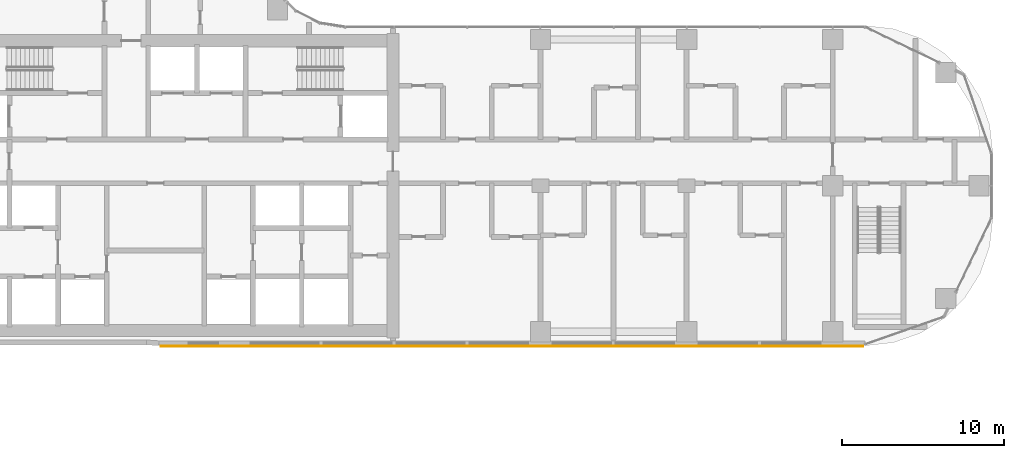
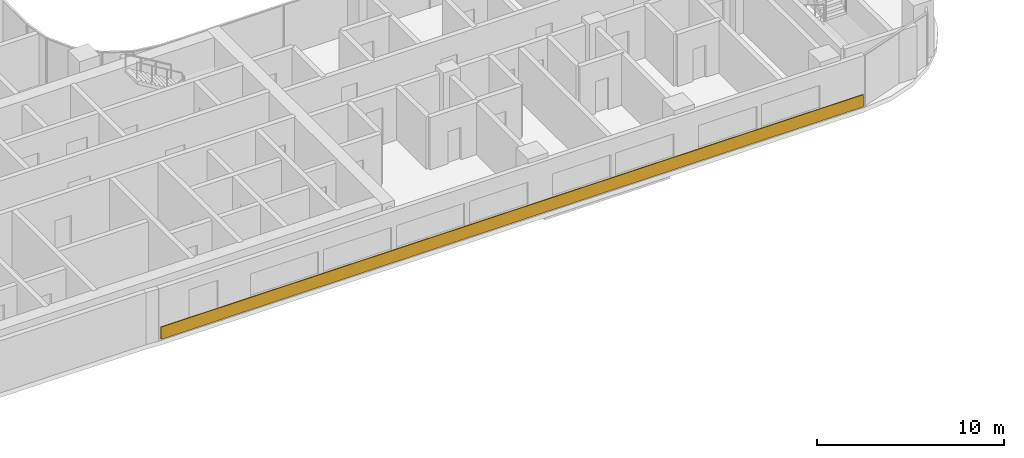
# One storey, part 30 of 35: 1 covering.
"""IFC4 building model written with IfcOpenShell, lengths in metres."""

from ifc_helpers import new_model, si_unit, direction, frame, origin, origin_2d, place, context, subcontext, project, spatial, rectangle, extrude, material, layer, layer_set, type_object, element, save


model = new_model("IFC4")

# Units and contexts
model_context = context("Model", 3, precision=1e-05, world=origin(), true_north=direction((0.0, 1.0)))
body_context = subcontext(model_context, "Body", "Model", "MODEL_VIEW")
ifc_project = project(units=[si_unit("LENGTHUNIT", "METRE"), si_unit("AREAUNIT", "SQUARE_METRE"), si_unit("VOLUMEUNIT", "CUBIC_METRE"), si_unit("PLANEANGLEUNIT", "RADIAN"), si_unit("MASSUNIT", "GRAM", prefix="KILO")], contexts=[model_context])

# Site, building, storey
site_placement = place(None, origin())
site = spatial("IfcSite", under=ifc_project, at=site_placement, CompositionType="ELEMENT")
building_placement = place(site_placement, origin())
building = spatial("IfcBuilding", under=site, at=building_placement, Name="Ogive Portal Towers", CompositionType="ELEMENT")
storey_placement = place(building_placement, frame((0.0, 0.0, 94.5)))
storey = spatial("IfcBuildingStorey", under=building, at=storey_placement, Name="L22", CompositionType="ELEMENT", Elevation=94.5)

# Covering
ifc_material = material(Name="Limestone cladding on lightweight block wall", Category="masonry")
ifc_layer = layer(ifc_material, 0.050048828125)
ifc_layer_set = layer_set([ifc_layer], Name="SCREEN PERFORATED STONE")
covering_type = type_object("IfcCoveringType", Name="SCREEN PERFORATED STONE", PredefinedType="CLADDING", material=ifc_layer_set)
covering_placement = place(storey_placement, frame((65.74853515625, 20.6201171875, 0.10009765625), z_axis=(0.0, 0.0, 1.0), x_axis=(1.0, 0.0, 0.0)))
element("IfcCovering", 1, at=covering_placement, inside=storey, type_object=covering_type, Name="Tracery screen", PredefinedType="CLADDING", context=body_context, shape_type="SweptSolid", body=[
    extrude(rectangle(XDim=43.275634765625, YDim=0.050048828125, at=origin_2d()), origin(), (0.0, 0.0, 1.0), 0.800048828125),
])

save(model, "model.ifc")
